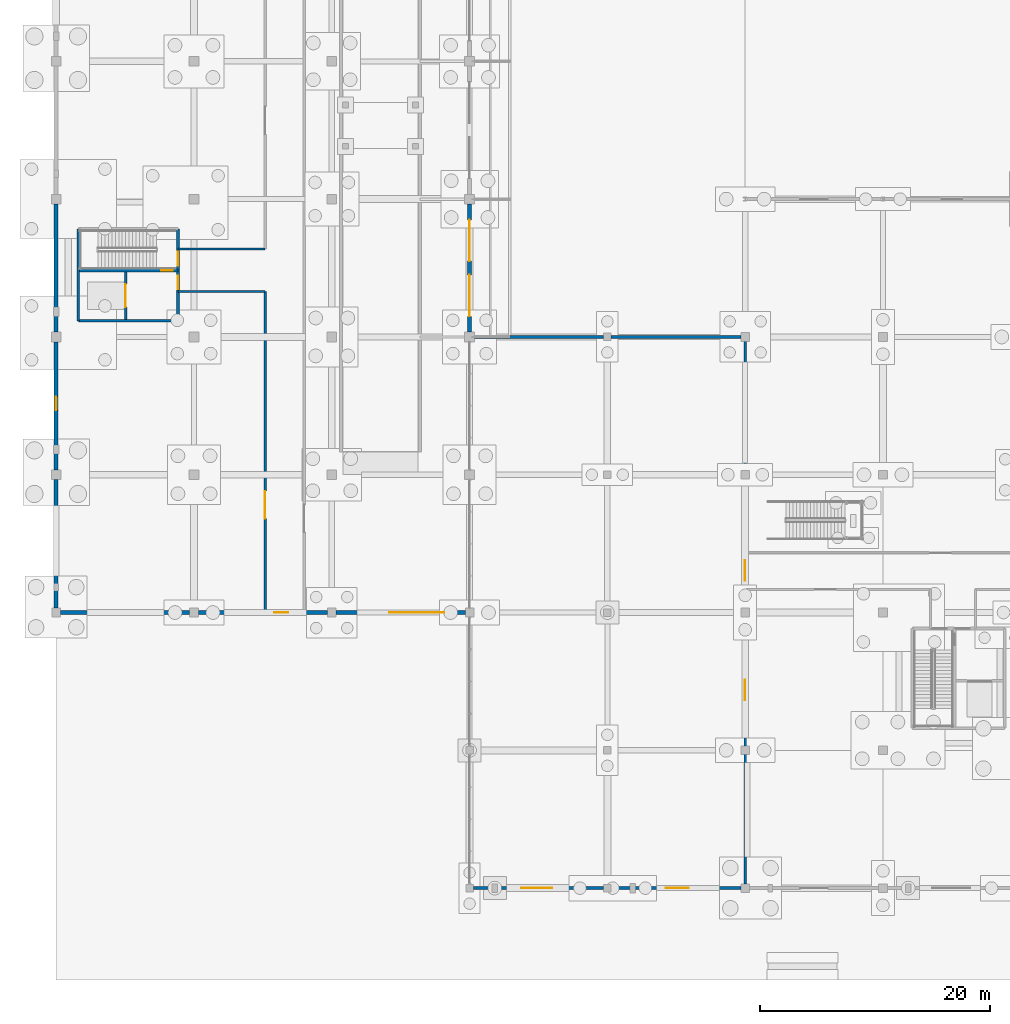
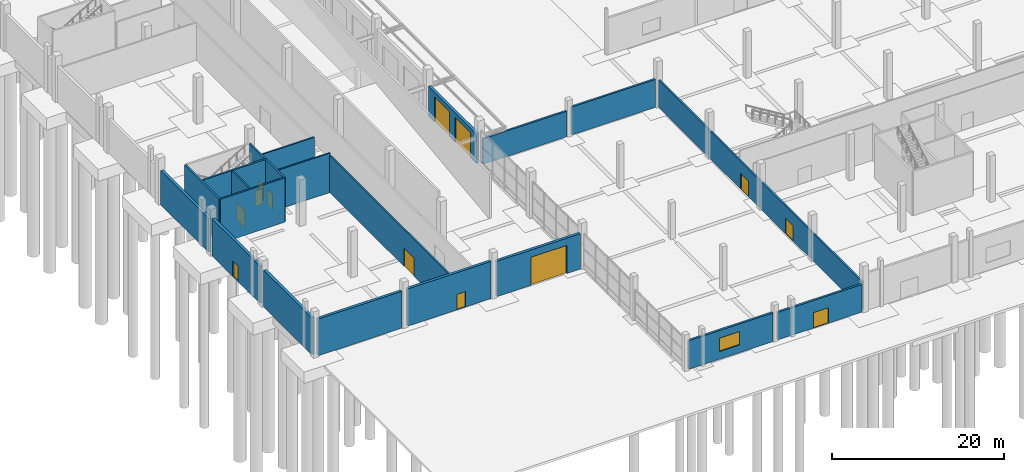
# One storey, part 81 of 117: 20 walls, 13 doors, 1 window, 14 openings.
"""IFC4 building model written with IfcOpenShell, lengths in metres."""

import ifcopenshell
import ifcopenshell.guid

model = None  # the IFC model being written
_history = None  # IfcOwnerHistory: only IFC2X3 demands one
_inside = {}  # id of a spatial element -> (the spatial element, [elements in it])
_under = {}  # id of a project, library or spatial element -> (it, [spatial elements below it])
_declared = {}  # id of a project -> (the project, [libraries it declares])
_typed = {}  # id of a type object -> (the type object, [elements of that type])
_made_of = {}  # id of a material, layer set ... -> (it, [elements and type objects made of it])


def new_model(schema):
    """Start an empty IFC model of exactly this schema.

    Asked for "IFC4X3", IfcOpenShell would pick the latest addendum, in which some entities
    have other attributes; the version numbers below select the first issue.
    IFC2X3 requires an IfcOwnerHistory on every rooted entity: one is made here for all.
    """
    global model, _history
    if schema == "IFC4X3":
        model = ifcopenshell.file(schema_version=(4, 3, 0, 0))
    else:
        model = ifcopenshell.file(schema=schema)
    _inside.clear()
    _under.clear()
    _declared.clear()
    _typed.clear()
    _made_of.clear()
    _history = None
    if model.schema == "IFC2X3":
        org = make("IfcOrganization", Name="unknown")
        user = make(
            "IfcPersonAndOrganization",
            ThePerson=make("IfcPerson", FamilyName="unknown"),
            TheOrganization=org,
        )
        app = make(
            "IfcApplication",
            ApplicationDeveloper=org,
            Version="unknown",
            ApplicationFullName="unknown",
            ApplicationIdentifier="unknown",
        )
        _history = make(
            "IfcOwnerHistory",
            OwningUser=user,
            OwningApplication=app,
            ChangeAction="ADDED",
            CreationDate=0,
        )
    return model


def make(cls, **values):
    """One entity of the class cls with the attributes given. An attribute that is None is left unset."""
    return model.create_entity(
        cls, **{name: value for name, value in values.items() if value is not None}
    )


def rooted(cls, **values):
    """An entity with a GlobalId (a new one), such as an element, a storey or a relation."""
    return make(cls, GlobalId=ifcopenshell.guid.new(), OwnerHistory=_history, **values)


def si_unit(unit_type, name, prefix=None):
    """IfcSIUnit, for example si_unit("LENGTHUNIT", "METRE", prefix="MILLI")."""
    return make("IfcSIUnit", UnitType=unit_type, Prefix=prefix, Name=name)


def assignment(units):
    """IfcUnitAssignment: the units of a project."""
    return None if units is None else make("IfcUnitAssignment", Units=units)


def point(xyz):
    """IfcCartesianPoint."""
    return None if xyz is None else make("IfcCartesianPoint", Coordinates=xyz)


def direction(xyz):
    """IfcDirection."""
    return None if xyz is None else make("IfcDirection", DirectionRatios=xyz)


def frame(location, z_axis=None, x_axis=None):
    """IfcAxis2Placement3D, a coordinate frame: its origin and axes. An axis left out is left unset."""
    return make(
        "IfcAxis2Placement3D",
        Location=point(location),
        Axis=direction(z_axis),
        RefDirection=direction(x_axis),
    )


def frame_2d(location, x_axis=None):
    """IfcAxis2Placement2D, a coordinate frame in the plane: its origin and x axis."""
    return make(
        "IfcAxis2Placement2D", Location=point(location), RefDirection=direction(x_axis)
    )


def origin():
    """The frame at (0, 0, 0) with its axes left unset."""
    return frame((0.0, 0.0, 0.0))


def place(relative_to, where):
    """IfcLocalPlacement: puts the frame where relative to a parent placement (None: the world)."""
    return make(
        "IfcLocalPlacement", PlacementRelTo=relative_to, RelativePlacement=where
    )


def context(
    kind, dimensions, precision=None, world=None, true_north=None, identifier=None
):
    """IfcGeometricRepresentationContext, for example the 3D "Model" context."""
    return make(
        "IfcGeometricRepresentationContext",
        ContextIdentifier=identifier,
        ContextType=kind,
        CoordinateSpaceDimension=dimensions,
        Precision=precision,
        WorldCoordinateSystem=world,
        TrueNorth=true_north,
    )


def subcontext(parent, identifier, kind, view, scale=None):
    """IfcGeometricRepresentationSubContext, for example "Body" below "Model"."""
    return make(
        "IfcGeometricRepresentationSubContext",
        ContextIdentifier=identifier,
        ContextType=kind,
        ParentContext=parent,
        TargetScale=scale,
        TargetView=view,
    )


def project(units=None, contexts=None):
    """IfcProject with its units and contexts."""
    return rooted(
        "IfcProject",
        Name="project",
        RepresentationContexts=contexts,
        UnitsInContext=assignment(units),
    )


def spatial(cls, under=None, at=None, **own):
    """A site, building, storey or space (cls), placed at a placement, below another one or the project."""
    s = rooted(cls, ObjectPlacement=at, **own)
    if under is not None:
        _under.setdefault(under.id(), (under, []))[1].append(s)
    return s


def profile(cls, at=None, kind="AREA", **sizes):
    """A parametric profile (cls). Its sizes go by their IFC names, for example OverallWidth=200.0."""
    return make(cls, ProfileType=kind, Position=at, **sizes)


def rectangle(**sizes):
    """IfcRectangleProfileDef."""
    return profile("IfcRectangleProfileDef", **sizes)


def extrude(swept, where, along, depth):
    """IfcExtrudedAreaSolid: the profile swept, set in the frame where, extruded along a direction by depth."""
    return make(
        "IfcExtrudedAreaSolid",
        SweptArea=swept,
        Position=where,
        ExtrudedDirection=direction(along),
        Depth=depth,
    )


def shape(context_of_items, identifier, shape_type, items):
    """IfcShapeRepresentation: the items that make up one representation, for example the "Body"."""
    return make(
        "IfcShapeRepresentation",
        ContextOfItems=context_of_items,
        RepresentationIdentifier=identifier,
        RepresentationType=shape_type,
        Items=items,
    )


def material(Name=None, Category=None):
    """IfcMaterial."""
    return make("IfcMaterial", Name=Name, Category=Category)


def layer(
    of_material, thickness, ventilated=None, Name=None, Category=None, Priority=None
):
    """IfcMaterialLayer: one layer of a wall or slab, of a material (None: an air gap)."""
    return make(
        "IfcMaterialLayer",
        Material=of_material,
        LayerThickness=thickness,
        IsVentilated=ventilated,
        Name=Name,
        Category=Category,
        Priority=Priority,
    )


def layer_set(layers, Name=None):
    """IfcMaterialLayerSet."""
    return make("IfcMaterialLayerSet", MaterialLayers=layers, LayerSetName=Name)


def made_of(thing, what):
    """Note that an element or type object is made of a material, layer set ...; save() writes the relation."""
    if what is not None:
        _made_of.setdefault(what.id(), (what, []))[1].append(thing)
    return thing


def type_object(cls, material=None, **own):
    """A type object (cls), such as IfcWallType, which elements share."""
    return made_of(rooted(cls, **own), material)


def element(
    cls,
    number,
    at=None,
    inside=None,
    cuts=None,
    type_object=None,
    material=None,
    context=None,
    identifier="Body",
    shape_type=None,
    held_by="IfcProductDefinitionShape",
    body=None,
    shapes=None,
    **own,
):
    """One element of the class cls, such as IfcWall. Its Tag is "e" and its number.

    at: its placement. inside: the storey or other place that contains it. cuts: it is an
    opening in that element (IfcRelVoidsElement). A single representation is given by context,
    identifier, shape_type and body (its items); several are given by shapes. held_by: the class
    of the entity that holds the representations. save() writes the other relations.
    """
    e = rooted(cls, Tag="e%d" % number, ObjectPlacement=at, **own)
    if body is not None:
        shapes = [shape(context, identifier, shape_type, body)]
    if shapes is not None:
        e.Representation = make(held_by, Representations=shapes)
    if inside is not None:
        _inside.setdefault(inside.id(), (inside, []))[1].append(e)
    if cuts is not None:
        rooted(
            "IfcRelVoidsElement", RelatingBuildingElement=cuts, RelatedOpeningElement=e
        )
    if type_object is not None:
        _typed.setdefault(type_object.id(), (type_object, []))[1].append(e)
    return made_of(e, material)


def fill(opening, filler):
    """IfcRelFillsElement: the door or window that sits in an opening."""
    return rooted(
        "IfcRelFillsElement",
        RelatingOpeningElement=opening,
        RelatedBuildingElement=filler,
    )


def aggregate(whole, parts):
    """IfcRelAggregates: a whole, such as a stair, and the parts it consists of."""
    return rooted("IfcRelAggregates", RelatingObject=whole, RelatedObjects=parts)


def save(model, path):
    """Write the relations noted so far, then the file.

    IfcRelAggregates (storeys below a building ...), IfcRelContainedInSpatialStructure (elements
    in a storey), IfcRelDefinesByType, IfcRelAssociatesMaterial and IfcRelDeclares: one each for
    every whole, place, type object, material and project.
    """
    for whole, parts in _under.values():
        aggregate(whole, parts)
    for where, things in _inside.values():
        rooted(
            "IfcRelContainedInSpatialStructure",
            RelatedElements=things,
            RelatingStructure=where,
        )
    for kind, things in _typed.values():
        rooted("IfcRelDefinesByType", RelatedObjects=things, RelatingType=kind)
    for what, things in _made_of.values():
        rooted("IfcRelAssociatesMaterial", RelatedObjects=things, RelatingMaterial=what)
    for by, libraries in _declared.values():
        rooted("IfcRelDeclares", RelatingContext=by, RelatedDefinitions=libraries)
    model.write(path)


model = new_model("IFC4")

# Units and contexts
model_context = context("Model", 3, precision=1e-05, world=origin(), true_north=direction((0.0, 1.0)))
body_context = subcontext(model_context, "Body", "Model", "MODEL_VIEW")
ifc_project = project(units=[si_unit("LENGTHUNIT", "METRE"), si_unit("AREAUNIT", "SQUARE_METRE"), si_unit("VOLUMEUNIT", "CUBIC_METRE"), si_unit("PLANEANGLEUNIT", "RADIAN"), si_unit("MASSUNIT", "GRAM", prefix="KILO")], contexts=[model_context])

# Site, building, storey
site_placement = place(None, origin())
site = spatial("IfcSite", under=ifc_project, at=site_placement, CompositionType="ELEMENT")
building_placement = place(site_placement, origin())
building = spatial("IfcBuilding", under=site, at=building_placement, Name="Kamomehara Wholesale Market", CompositionType="ELEMENT")
storey_placement = place(building_placement, origin())
storey = spatial("IfcBuildingStorey", under=building, at=storey_placement, Name="L00", CompositionType="ELEMENT", Elevation=0.0)

# Wall
ifc_material_1 = material(Name="Polyurethane insulated metal panel")
ifc_layer_1 = layer(ifc_material_1, 0.360107421875)
ifc_layer_set_1 = layer_set([ifc_layer_1], Name="Polyurethane insulated metal panel")
wall_type_1 = type_object("IfcWallType", Name="EW-CLD-360", PredefinedType="SOLIDWALL", material=ifc_layer_set_1)
wall_1_placement = place(storey_placement, frame((0.0, 36.375, 0.0), z_axis=(0.0, 0.0, 1.0), x_axis=(0.0, 1.0, 0.0)))
element("IfcWall", 1, at=wall_1_placement, inside=storey, type_object=wall_type_1, Name="Exterior wall EW-CLD-360 1", PredefinedType="SOLIDWALL", context=body_context, shape_type="SweptSolid", body=[
    extrude(rectangle(XDim=11.199951171875, YDim=0.360107421875, at=frame_2d((5.60009765625, 0.0))), origin(), (0.0, 0.0, 1.0), 5.238037109375),
])

# Wall, opening, door
wall_2_placement = place(storey_placement, frame((0.0, 48.425048828125, 0.0), z_axis=(0.0, 0.0, 1.0), x_axis=(0.0, 1.0, 0.0)))
wall_2 = element("IfcWall", 2, at=wall_2_placement, inside=storey, type_object=wall_type_1, Name="Exterior wall EW-CLD-360 2", PredefinedType="SOLIDWALL", context=body_context, shape_type="SweptSolid", body=[
    extrude(rectangle(XDim=11.14990234375, YDim=0.360107421875, at=frame_2d((5.574951171875, 0.0))), origin(), (0.0, 0.0, 1.0), 5.2880859375),
])
opening_1_placement = place(wall_2_placement, frame((5.175048828125, 0.0, 0.0)))
opening_1 = element("IfcOpeningElement", 3, at=opening_1_placement, cuts=wall_2, Name="Opening ED-L00-01", PredefinedType="OPENING", context=body_context, shape_type="SweptSolid", body=[
    extrude(rectangle(XDim=1.199951171875, YDim=2.199951171875, at=frame_2d((0.60009765625, 1.10009765625))), frame((0.0, 0.19482421875, 0.0), z_axis=(0.0, -1.0, 0.0), x_axis=(1.0, 0.0, 0.0)), (0.0, 0.0, 1.0), 0.389892578125),
])
ifc_material_2 = material(Name="Steel SN400B", Category="steel")
door_type_1 = type_object("IfcDoorType", Name="EDR-1200x2200", OperationType="NOTDEFINED", PredefinedType="DOOR", material=ifc_material_2)
door_1_placement = place(opening_1_placement, origin())
door_1 = element("IfcDoor", 4, at=door_1_placement, inside=storey, type_object=door_type_1, Name="Cold block exit door ED-L00-01", OperationType="SINGLE_SWING_LEFT", OverallHeight=2.199951171875, OverallWidth=1.199951171875, PredefinedType="DOOR", context=body_context, shape_type="SweptSolid", body=[
    extrude(rectangle(XDim=1.199951171875, YDim=2.199951171875, at=frame_2d((0.60009765625, 1.10009765625))), frame((0.0, 0.02490234375, 0.0), z_axis=(0.0, -1.0, 0.0), x_axis=(1.0, 0.0, 0.0)), (0.0, 0.0, 1.0), 0.050048828125),
])
fill(opening_1, door_1)

# Walls
wall_3_placement = place(storey_placement, frame((0.0, 60.425048828125, 0.0), z_axis=(0.0, 0.0, 1.0), x_axis=(0.0, 1.0, 0.0)))
element("IfcWall", 5, at=wall_3_placement, inside=storey, type_object=wall_type_1, Name="Exterior wall EW-CLD-360 3", PredefinedType="SOLIDWALL", context=body_context, shape_type="SweptSolid", body=[
    extrude(rectangle(XDim=11.14990234375, YDim=0.360107421875, at=frame_2d((5.574951171875, 0.0))), origin(), (0.0, 0.0, 1.0), 4.85791015625),
])
wall_4_placement = place(storey_placement, frame((11.625, 36.0, 0.0), z_axis=(0.0, 0.0, 1.0), x_axis=(-1.0, 0.0, 0.0)))
element("IfcWall", 6, at=wall_4_placement, inside=storey, type_object=wall_type_1, Name="Exterior wall EW-CLD-360 12", PredefinedType="SOLIDWALL", context=body_context, shape_type="SweptSolid", body=[
    extrude(rectangle(XDim=11.25, YDim=0.360107421875, at=frame_2d((5.625, 0.0))), origin(), (0.0, 0.0, 1.0), 5.238037109375),
])

# Wall, opening, door
wall_5_placement = place(storey_placement, frame((23.625, 36.0, 0.0), z_axis=(0.0, 0.0, 1.0), x_axis=(-1.0, 0.0, 0.0)))
wall_5 = element("IfcWall", 7, at=wall_5_placement, inside=storey, type_object=wall_type_1, Name="Exterior wall EW-CLD-360 14", PredefinedType="SOLIDWALL", context=body_context, shape_type="SweptSolid", body=[
    extrude(rectangle(XDim=11.25, YDim=0.360107421875, at=frame_2d((5.625, 0.0))), origin(), (0.0, 0.0, 1.0), 5.2880859375),
])
opening_2_placement = place(wall_5_placement, frame((3.425048828125, 0.0, 0.0)))
opening_2 = element("IfcOpeningElement", 8, at=opening_2_placement, cuts=wall_5, Name="Opening ED-L00-V3S", PredefinedType="OPENING", context=body_context, shape_type="SweptSolid", body=[
    extrude(rectangle(XDim=1.199951171875, YDim=2.199951171875, at=frame_2d((0.60009765625, 1.10009765625))), frame((0.0, 0.19482421875, 0.0), z_axis=(0.0, -1.0, 0.0), x_axis=(1.0, 0.0, 0.0)), (0.0, 0.0, 1.0), 0.389892578125),
])
door_2_placement = place(opening_2_placement, origin())
door_2 = element("IfcDoor", 9, at=door_2_placement, inside=storey, type_object=door_type_1, Name="Cold corridor final exit door ED-L00-V3S", OperationType="SINGLE_SWING_RIGHT", OverallHeight=2.199951171875, OverallWidth=1.199951171875, PredefinedType="DOOR", context=body_context, shape_type="SweptSolid", body=[
    extrude(rectangle(XDim=1.199951171875, YDim=2.199951171875, at=frame_2d((0.60009765625, 1.10009765625))), frame((0.0, 0.02490234375, 0.0), z_axis=(0.0, -1.0, 0.0), x_axis=(1.0, 0.0, 0.0)), (0.0, 0.0, 1.0), 0.050048828125),
])
fill(opening_2, door_2)

wall_6_placement = place(storey_placement, frame((35.625, 36.0, 0.0), z_axis=(0.0, 0.0, 1.0), x_axis=(-1.0, 0.0, 0.0)))
wall_6 = element("IfcWall", 10, at=wall_6_placement, inside=storey, type_object=wall_type_1, Name="Exterior wall EW-CLD-360 16", PredefinedType="SOLIDWALL", context=body_context, shape_type="SweptSolid", body=[
    extrude(rectangle(XDim=11.25, YDim=0.360107421875, at=frame_2d((5.625, 0.0))), origin(), (0.0, 0.0, 1.0), 5.030029296875),
])
opening_3_placement = place(wall_6_placement, frame((1.824951171875, 0.0, 0.0)))
opening_3 = element("IfcOpeningElement", 11, at=opening_3_placement, cuts=wall_6, Name="Opening VG-L00-01", PredefinedType="OPENING", context=body_context, shape_type="SweptSolid", body=[
    extrude(rectangle(XDim=4.800048828125, YDim=4.0, at=frame_2d((2.39990234375, 2.0))), frame((0.0, 0.19482421875, 0.0), z_axis=(0.0, -1.0, 0.0), x_axis=(1.0, 0.0, 0.0)), (0.0, 0.0, 1.0), 0.389892578125),
])
ifc_material_3 = material(Name="Steel SN400B", Category="steel")
door_type_2 = type_object("IfcDoorType", Name="EDR-VG-5200x4500", OperationType="ROLLINGUP", PredefinedType="GATE", material=ifc_material_3)
door_3_placement = place(opening_3_placement, origin())
door_3 = element("IfcDoor", 12, at=door_3_placement, inside=storey, type_object=door_type_2, Name="Service ramp roller shutter VG-L00-01", OperationType="ROLLINGUP", OverallHeight=4.0, OverallWidth=4.800048828125, PredefinedType="GATE", context=body_context, shape_type="SweptSolid", body=[
    extrude(rectangle(XDim=4.800048828125, YDim=4.0, at=frame_2d((2.39990234375, 2.0))), frame((0.0, 0.02490234375, 0.0), z_axis=(0.0, -1.0, 0.0), x_axis=(1.0, 0.0, 0.0)), (0.0, 0.0, 1.0), 0.050048828125),
])
fill(opening_3, door_3)

# Wall, openings, doors
wall_7_placement = place(storey_placement, frame((36.0, 71.574951171875, 0.0), z_axis=(0.0, 0.0, 1.0), x_axis=(0.0, -1.0, 0.0)))
wall_7 = element("IfcWall", 13, at=wall_7_placement, inside=storey, type_object=wall_type_1, Name="Exterior wall EW-CLD-360 17", PredefinedType="SOLIDWALL", context=body_context, shape_type="SweptSolid", body=[
    extrude(rectangle(XDim=11.14990234375, YDim=0.360107421875, at=frame_2d((5.574951171875, 0.0))), origin(), (0.0, 0.0, 1.0), 4.238037109375),
])
opening_4_placement = place(wall_7_placement, frame((1.375, 0.0, 0.0)))
opening_4 = element("IfcOpeningElement", 14, at=opening_4_placement, cuts=wall_7, Name="Opening DK-02", PredefinedType="OPENING", context=body_context, shape_type="SweptSolid", body=[
    extrude(rectangle(XDim=3.60009765625, YDim=3.60009765625, at=frame_2d((1.800048828125, 1.800048828125))), frame((0.0, 0.19482421875, 0.0), z_axis=(0.0, -1.0, 0.0), x_axis=(1.0, 0.0, 0.0)), (0.0, 0.0, 1.0), 0.389892578125),
])
opening_5_placement = place(wall_7_placement, frame((6.175048828125, 0.0, 0.0)))
opening_5 = element("IfcOpeningElement", 15, at=opening_5_placement, cuts=wall_7, Name="Opening DK-01", PredefinedType="OPENING", context=body_context, shape_type="SweptSolid", body=[
    extrude(rectangle(XDim=3.60009765625, YDim=3.60009765625, at=frame_2d((1.800048828125, 1.800048828125))), frame((0.0, 0.19482421875, 0.0), z_axis=(0.0, -1.0, 0.0), x_axis=(1.0, 0.0, 0.0)), (0.0, 0.0, 1.0), 0.389892578125),
])
ifc_material_4 = material(Name="Steel SN400B", Category="steel")
door_type_3 = type_object("IfcDoorType", Name="EDR-DK-4000x4200", OperationType="ROLLINGUP", PredefinedType="GATE", material=ifc_material_4)
door_4_placement = place(opening_4_placement, origin())
door_4 = element("IfcDoor", 16, at=door_4_placement, inside=storey, type_object=door_type_3, Name="Cold dock roller shutter DK-02", OperationType="ROLLINGUP", OverallHeight=3.60009765625, OverallWidth=3.60009765625, PredefinedType="GATE", context=body_context, shape_type="SweptSolid", body=[
    extrude(rectangle(XDim=3.60009765625, YDim=3.60009765625, at=frame_2d((1.800048828125, 1.800048828125))), frame((0.0, 0.02490234375, 0.0), z_axis=(0.0, -1.0, 0.0), x_axis=(1.0, 0.0, 0.0)), (0.0, 0.0, 1.0), 0.050048828125),
])
fill(opening_4, door_4)
door_5_placement = place(opening_5_placement, origin())
door_5 = element("IfcDoor", 17, at=door_5_placement, inside=storey, type_object=door_type_3, Name="Cold dock roller shutter DK-01", OperationType="ROLLINGUP", OverallHeight=3.60009765625, OverallWidth=3.60009765625, PredefinedType="GATE", context=body_context, shape_type="SweptSolid", body=[
    extrude(rectangle(XDim=3.60009765625, YDim=3.60009765625, at=frame_2d((1.800048828125, 1.800048828125))), frame((0.0, 0.02490234375, 0.0), z_axis=(0.0, -1.0, 0.0), x_axis=(1.0, 0.0, 0.0)), (0.0, 0.0, 1.0), 0.050048828125),
])
fill(opening_5, door_5)

# Walls
ifc_material_5 = material(Name="Precast concrete Fc45 (C40/50)", Category="concrete")
ifc_layer_2 = layer(ifc_material_5, 0.25)
ifc_layer_set_2 = layer_set([ifc_layer_2], Name="Precast concrete Fc45 (C40/50)")
wall_type_2 = type_object("IfcWallType", Name="EW-PC-250", PredefinedType="SOLIDWALL", material=ifc_layer_set_2)
wall_8_placement = place(storey_placement, frame((36.425048828125, 60.0, 0.0), z_axis=(0.0, 0.0, 1.0), x_axis=(1.0, 0.0, 0.0)))
element("IfcWall", 18, at=wall_8_placement, inside=storey, type_object=wall_type_2, Name="Exterior wall EW-PC-250 78", PredefinedType="SOLIDWALL", context=body_context, shape_type="SweptSolid", body=[
    extrude(rectangle(XDim=11.25, YDim=0.25, at=frame_2d((5.625, 0.0))), origin(), (0.0, 0.0, 1.0), 3.6298828125),
])
wall_9_placement = place(storey_placement, frame((48.324951171875, 60.0, 0.0), z_axis=(0.0, 0.0, 1.0), x_axis=(1.0, 0.0, 0.0)))
element("IfcWall", 19, at=wall_9_placement, inside=storey, type_object=wall_type_2, Name="Exterior wall EW-PC-250 80", PredefinedType="SOLIDWALL", context=body_context, shape_type="SweptSolid", body=[
    extrude(rectangle(XDim=11.300048828125, YDim=0.25, at=frame_2d((5.64990234375, 0.0))), origin(), (0.0, 0.0, 1.0), 3.972900390625),
])

# Wall, opening, window
ifc_material_6 = material(Name="Precast concrete Fc45 (C40/50)", Category="concrete")
ifc_layer_3 = layer(ifc_material_6, 0.280029296875)
ifc_layer_set_3 = layer_set([ifc_layer_3], Name="Precast concrete Fc45 (C40/50)")
wall_type_3 = type_object("IfcWallType", Name="EW-PC-280", PredefinedType="SOLIDWALL", material=ifc_layer_set_3)
wall_10_placement = place(storey_placement, frame((47.675048828125, 12.0, 0.0), z_axis=(0.0, 0.0, 1.0), x_axis=(-1.0, 0.0, 0.0)))
wall_10 = element("IfcWall", 20, at=wall_10_placement, inside=storey, type_object=wall_type_3, Name="Exterior wall EW-PC-280 77", PredefinedType="SOLIDWALL", context=body_context, shape_type="SweptSolid", body=[
    extrude(rectangle(XDim=11.35009765625, YDim=0.280029296875, at=frame_2d((5.675048828125, 0.0))), origin(), (0.0, 0.0, 1.0), 4.0849609375),
])
opening_6_placement = place(wall_10_placement, frame((4.47509765625, 0.0, 1.10009765625)))
opening_6 = element("IfcOpeningElement", 21, at=opening_6_placement, cuts=wall_10, Name="Opening WN-L00-009", PredefinedType="OPENING", context=body_context, shape_type="SweptSolid", body=[
    extrude(rectangle(XDim=2.699951171875, YDim=1.89990234375, at=frame_2d((1.35009765625, 0.949951171875))), frame((0.0, 0.15478515625, 0.0), z_axis=(0.0, -1.0, 0.0), x_axis=(1.0, 0.0, 0.0)), (0.0, 0.0, 1.0), 0.309814453125),
])
ifc_material_7 = material(Name="Solar-control Low-E double glazing", Category="glass")
window_type = type_object("IfcWindowType", Name="WIN-2700x1900", PartitioningType="SINGLE_PANEL", PredefinedType="WINDOW", material=ifc_material_7)
window_placement = place(opening_6_placement, origin())
window = element("IfcWindow", 22, at=window_placement, inside=storey, type_object=window_type, Name="Exterior window WN-L00-009", OverallHeight=1.89990234375, OverallWidth=2.699951171875, PartitioningType="SINGLE_PANEL", PredefinedType="WINDOW", context=body_context, shape_type="SweptSolid", body=[
    extrude(rectangle(XDim=2.699951171875, YDim=1.89990234375, at=frame_2d((1.35009765625, 0.949951171875))), frame((0.0, 0.030029296875, 0.0), z_axis=(0.0, -1.0, 0.0), x_axis=(1.0, 0.0, 0.0)), (0.0, 0.0, 1.0), 0.06005859375),
])
fill(opening_6, window)

# Wall, opening, door
wall_11_placement = place(storey_placement, frame((59.625, 12.0, 0.0), z_axis=(0.0, 0.0, 1.0), x_axis=(-1.0, 0.0, 0.0)))
wall_11 = element("IfcWall", 23, at=wall_11_placement, inside=storey, type_object=wall_type_3, Name="Exterior wall EW-PC-280 79", PredefinedType="SOLIDWALL", context=body_context, shape_type="SweptSolid", body=[
    extrude(rectangle(XDim=11.300048828125, YDim=0.280029296875, at=frame_2d((5.64990234375, 0.0))), origin(), (0.0, 0.0, 1.0), 3.922119140625),
])
opening_7_placement = place(wall_11_placement, frame((4.52490234375, 0.0, 0.0)))
opening_7 = element("IfcOpeningElement", 24, at=opening_7_placement, cuts=wall_11, Name="Opening ED-L00-28", PredefinedType="OPENING", context=body_context, shape_type="SweptSolid", body=[
    extrude(rectangle(XDim=2.0, YDim=2.199951171875, at=frame_2d((1.0, 1.10009765625))), frame((0.0, 0.15478515625, 0.0), z_axis=(0.0, -1.0, 0.0), x_axis=(1.0, 0.0, 0.0)), (0.0, 0.0, 1.0), 0.309814453125),
])
ifc_material_8 = material(Name="Anodised aluminium 6063-T5", Category="aluminium")
door_type_4 = type_object("IfcDoorType", Name="EDR-2000x2200", OperationType="NOTDEFINED", PredefinedType="DOOR", material=ifc_material_8)
door_6_placement = place(opening_7_placement, origin())
door_6 = element("IfcDoor", 25, at=door_6_placement, inside=storey, type_object=door_type_4, Name="Live-tank hall exit door ED-L00-28", OperationType="SINGLE_SWING_LEFT", OverallHeight=2.199951171875, OverallWidth=2.0, PredefinedType="DOOR", context=body_context, shape_type="SweptSolid", body=[
    extrude(rectangle(XDim=2.0, YDim=2.199951171875, at=frame_2d((1.0, 1.10009765625))), frame((0.0, 0.02490234375, 0.0), z_axis=(0.0, -1.0, 0.0), x_axis=(1.0, 0.0, 0.0)), (0.0, 0.0, 1.0), 0.050048828125),
])
fill(opening_7, door_6)

ifc_material_9 = material(Name="Gypsum board partition")
ifc_layer_4 = layer(ifc_material_9, 0.199951171875)
ifc_layer_set_4 = layer_set([ifc_layer_4], Name="Gypsum board partition")
wall_type_4 = type_object("IfcWallType", Name="IW-PRT-200", PredefinedType="PARTITIONING", material=ifc_layer_set_4)
wall_12_placement = place(storey_placement, frame((18.199951171875, 36.179931640625, 0.0), z_axis=(0.0, 0.0, 1.0), x_axis=(0.0, 1.0, 0.0)))
wall_12 = element("IfcWall", 26, at=wall_12_placement, inside=storey, type_object=wall_type_4, Name="Interior wall IW-PRT-200 227", PredefinedType="PARTITIONING", context=body_context, shape_type="SweptSolid", body=[
    extrude(rectangle(XDim=27.77001953125, YDim=0.199951171875, at=frame_2d((13.885009765625, 0.0))), origin(), (0.0, 0.0, 1.0), 5.242919921875),
])
opening_8_placement = place(wall_12_placement, frame((8.0, 0.0, 0.0)))
opening_8 = element("IfcOpeningElement", 27, at=opening_8_placement, cuts=wall_12, Name="Opening ID-L00-138", PredefinedType="OPENING", context=body_context, shape_type="SweptSolid", body=[
    extrude(rectangle(XDim=2.39990234375, YDim=2.60009765625, at=frame_2d((1.199951171875, 1.300048828125))), frame((0.0, 0.11474609375, 0.0), z_axis=(0.0, -1.0, 0.0), x_axis=(1.0, 0.0, 0.0)), (0.0, 0.0, 1.0), 0.229736328125),
])
ifc_material_10 = material(Name="Steel SN400B", Category="steel")
door_type_5 = type_object("IfcDoorType", Name="IDR-CL-2400x2600", OperationType="NOTDEFINED", PredefinedType="DOOR", material=ifc_material_10)
door_7_placement = place(opening_8_placement, origin())
door_7 = element("IfcDoor", 28, at=door_7_placement, inside=storey, type_object=door_type_5, Name="Interior door ID-L00-138", OperationType="SINGLE_SWING_RIGHT", OverallHeight=2.60009765625, OverallWidth=2.39990234375, PredefinedType="DOOR", context=body_context, shape_type="SweptSolid", body=[
    extrude(rectangle(XDim=2.39990234375, YDim=2.60009765625, at=frame_2d((1.199951171875, 1.300048828125))), frame((0.0, 0.02490234375, 0.0), z_axis=(0.0, -1.0, 0.0), x_axis=(1.0, 0.0, 0.0)), (0.0, 0.0, 1.0), 0.050048828125),
])
fill(opening_8, door_7)

# Walls
for number, where, z_axis, x_axis, name in (
    (29, (10.60009765625, 63.949951171875, 0.0), (0.0, 0.0, 1.0), (1.0, 0.0, 0.0), "Interior wall IW-PRT-200 228"),
    (30, (10.60009765625, 67.64990234375, 0.0), (0.0, 0.0, 1.0), (1.0, 0.0, 0.0), "Interior wall IW-PRT-200 229"),
):
    element("IfcWall", number, at=place(storey_placement, frame(where, z_axis=z_axis, x_axis=x_axis)), inside=storey, type_object=wall_type_4, Name=name, PredefinedType="PARTITIONING", context=body_context, shape_type="SweptSolid", body=[
        extrude(rectangle(XDim=7.599853515625, YDim=0.199951171875, at=frame_2d((3.7998046875, 0.0))), origin(), (0.0, 0.0, 1.0), 5.593017578125),
    ])

# Wall, opening, door
ifc_material_11 = material(Name="Concrete Fc36 (C35/45)", Category="concrete")
ifc_layer_5 = layer(ifc_material_11, 0.219970703125)
ifc_layer_set_5 = layer_set([ifc_layer_5], Name="Concrete Fc36 (C35/45)")
wall_type_5 = type_object("IfcWallType", Name="IW-SHR-220", PredefinedType="SHEAR", material=ifc_layer_set_5)
wall_13_placement = place(storey_placement, frame((6.0400390625, 61.52001953125, 0.0), z_axis=(0.0, 0.0, 1.0), x_axis=(0.0, 1.0, 0.0)))
wall_13 = element("IfcWall", 31, at=wall_13_placement, inside=storey, type_object=wall_type_5, Name="Interior wall IW-SHR-220 30", PredefinedType="SHEAR", context=body_context, shape_type="SweptSolid", body=[
    extrude(rectangle(XDim=4.139892578125, YDim=0.219970703125, at=frame_2d((2.06982421875, 0.0))), origin(), (0.0, 0.0, 1.0), 6.260009765625),
])
opening_9_placement = place(wall_13_placement, frame((1.070068359375, 0.0, 0.0)))
opening_9 = element("IfcOpeningElement", 32, at=opening_9_placement, cuts=wall_13, Name="Opening LD-LF-02-L00", PredefinedType="OPENING", context=body_context, shape_type="SweptSolid", body=[
    extrude(rectangle(XDim=2.0, YDim=2.39990234375, at=frame_2d((1.0, 1.199951171875))), frame((0.0, 0.125, 0.0), z_axis=(0.0, -1.0, 0.0), x_axis=(1.0, 0.0, 0.0)), (0.0, 0.0, 1.0), 0.249755859375),
])
ifc_material_12 = material(Name="Steel SN400B", Category="steel")
door_type_6 = type_object("IfcDoorType", Name="LDR-GDS-2000x2400", OperationType="DOUBLE_DOOR_SLIDING", PredefinedType="DOOR", material=ifc_material_12)
door_8_placement = place(opening_9_placement, origin())
door_8 = element("IfcDoor", 33, at=door_8_placement, inside=storey, type_object=door_type_6, Name="Lift sliding landing door LD-LF-02-L00", OperationType="DOUBLE_DOOR_SLIDING", OverallHeight=2.39990234375, OverallWidth=2.0, PredefinedType="DOOR", context=body_context, shape_type="SweptSolid", body=[
    extrude(rectangle(XDim=2.0, YDim=2.39990234375, at=frame_2d((1.0, 1.199951171875))), frame((0.0, 0.02490234375, 0.0), z_axis=(0.0, -1.0, 0.0), x_axis=(1.0, 0.0, 0.0)), (0.0, 0.0, 1.0), 0.050048828125),
])
fill(opening_9, door_8)

# Wall, openings, doors
wall_14_placement = place(storey_placement, frame((60.0, 12.35009765625, 0.0), z_axis=(0.0, 0.0, 1.0), x_axis=(0.0, 1.0, 0.0)))
wall_14 = element("IfcWall", 34, at=wall_14_placement, inside=storey, type_object=wall_type_5, Name="Interior wall IW-SHR-220 240", PredefinedType="SHEAR", context=body_context, shape_type="SweptSolid", body=[
    extrude(rectangle(XDim=47.2998046875, YDim=0.219970703125, at=frame_2d((23.64990234375, 0.0))), origin(), (0.0, 0.0, 1.0), 3.927001953125),
])
opening_10_placement = place(wall_14_placement, frame((16.0, 0.0, 0.0)))
opening_10 = element("IfcOpeningElement", 35, at=opening_10_placement, cuts=wall_14, Name="Opening ID-L00-146", PredefinedType="OPENING", context=body_context, shape_type="SweptSolid", body=[
    extrude(rectangle(XDim=1.800048828125, YDim=2.199951171875, at=frame_2d((0.89990234375, 1.10009765625))), frame((0.0, 0.125, 0.0), z_axis=(0.0, -1.0, 0.0), x_axis=(1.0, 0.0, 0.0)), (0.0, 0.0, 1.0), 0.249755859375),
])
opening_11_placement = place(wall_14_placement, frame((26.39990234375, 0.0, 0.0)))
opening_11 = element("IfcOpeningElement", 36, at=opening_11_placement, cuts=wall_14, Name="Opening ID-L00-147", PredefinedType="OPENING", context=body_context, shape_type="SweptSolid", body=[
    extrude(rectangle(XDim=1.800048828125, YDim=2.199951171875, at=frame_2d((0.89990234375, 1.10009765625))), frame((0.0, 0.125, 0.0), z_axis=(0.0, -1.0, 0.0), x_axis=(1.0, 0.0, 0.0)), (0.0, 0.0, 1.0), 0.249755859375),
])
ifc_material_13 = material(Name="Steel SN400B", Category="steel")
door_type_7 = type_object("IfcDoorType", Name="IDR-FD-1800x2200", OperationType="NOTDEFINED", PredefinedType="DOOR", material=ifc_material_13)
door_9_placement = place(opening_10_placement, origin())
door_9 = element("IfcDoor", 37, at=door_9_placement, inside=storey, type_object=door_type_7, Name="Interior door ID-L00-146", OperationType="SINGLE_SWING_RIGHT", OverallHeight=2.199951171875, OverallWidth=1.800048828125, PredefinedType="DOOR", context=body_context, shape_type="SweptSolid", body=[
    extrude(rectangle(XDim=1.800048828125, YDim=2.199951171875, at=frame_2d((0.89990234375, 1.10009765625))), frame((0.0, 0.02490234375, 0.0), z_axis=(0.0, -1.0, 0.0), x_axis=(1.0, 0.0, 0.0)), (0.0, 0.0, 1.0), 0.050048828125),
])
fill(opening_10, door_9)
door_10_placement = place(opening_11_placement, origin())
door_10 = element("IfcDoor", 38, at=door_10_placement, inside=storey, type_object=door_type_7, Name="Interior door ID-L00-147", OperationType="SINGLE_SWING_LEFT", OverallHeight=2.199951171875, OverallWidth=1.800048828125, PredefinedType="DOOR", context=body_context, shape_type="SweptSolid", body=[
    extrude(rectangle(XDim=1.800048828125, YDim=2.199951171875, at=frame_2d((0.89990234375, 1.10009765625))), frame((0.0, 0.02490234375, 0.0), z_axis=(0.0, -1.0, 0.0), x_axis=(1.0, 0.0, 0.0)), (0.0, 0.0, 1.0), 0.050048828125),
])
fill(opening_11, door_10)

# Walls
ifc_material_14 = material(Name="Concrete Fc36 (C35/45)", Category="concrete")
ifc_layer_6 = layer(ifc_material_14, 0.239990234375)
ifc_layer_set_6 = layer_set([ifc_layer_6], Name="Concrete Fc36 (C35/45)")
wall_type_6 = type_object("IfcWallType", Name="IW-SHR-240", PredefinedType="SHEAR", material=ifc_layer_set_6)
wall_15_placement = place(storey_placement, frame((1.929931640625, 69.419921875, 0.0), z_axis=(0.0, 0.0, 1.0), x_axis=(0.0, -1.0, 0.0)))
element("IfcWall", 39, at=wall_15_placement, inside=storey, type_object=wall_type_6, Name="Interior wall IW-SHR-240 26", PredefinedType="SHEAR", context=body_context, shape_type="SweptSolid", body=[
    extrude(rectangle(XDim=8.02001953125, YDim=0.239990234375, at=frame_2d((4.010009765625, 0.0))), origin(), (0.0, 0.0, 1.0), 6.260009765625),
])
wall_16_placement = place(storey_placement, frame((1.929931640625, 61.39990234375, 0.0), z_axis=(0.0, 0.0, 1.0), x_axis=(1.0, 0.0, 0.0)))
element("IfcWall", 40, at=wall_16_placement, inside=storey, type_object=wall_type_6, Name="Interior wall IW-SHR-240 27", PredefinedType="SHEAR", context=body_context, shape_type="SweptSolid", body=[
    extrude(rectangle(XDim=8.670166015625, YDim=0.239990234375, at=frame_2d((4.3349609375, 0.0))), origin(), (0.0, 0.0, 1.0), 6.260009765625),
])

# Wall, opening, door
wall_17_placement = place(storey_placement, frame((1.929931640625, 65.780029296875, 0.0), z_axis=(0.0, 0.0, 1.0), x_axis=(1.0, 0.0, 0.0)))
wall_17 = element("IfcWall", 41, at=wall_17_placement, inside=storey, type_object=wall_type_6, Name="Interior wall IW-SHR-240 28", PredefinedType="SHEAR", context=body_context, shape_type="SweptSolid", body=[
    extrude(rectangle(XDim=8.670166015625, YDim=0.239990234375, at=frame_2d((4.3349609375, 0.0))), origin(), (0.0, 0.0, 1.0), 6.260009765625),
])
opening_12_placement = place(wall_17_placement, frame((7.219970703125, 0.0, 0.0)))
opening_12 = element("IfcOpeningElement", 42, at=opening_12_placement, cuts=wall_17, Name="Opening FD-L00-C3I", PredefinedType="OPENING", context=body_context, shape_type="SweptSolid", body=[
    extrude(rectangle(XDim=1.0, YDim=2.199951171875, at=frame_2d((0.5, 1.10009765625))), frame((0.0, 0.134765625, 0.0), z_axis=(0.0, -1.0, 0.0), x_axis=(1.0, 0.0, 0.0)), (0.0, 0.0, 1.0), 0.269775390625),
])
ifc_material_15 = material(Name="Anodised aluminium 6063-T5", Category="aluminium")
door_type_8 = type_object("IfcDoorType", Name="IDR-RM-1000x2200", OperationType="NOTDEFINED", PredefinedType="DOOR", material=ifc_material_15)
door_11_placement = place(opening_12_placement, origin())
door_11 = element("IfcDoor", 43, at=door_11_placement, inside=storey, type_object=door_type_8, Name="Core lobby-stair fire door FD-L00-C3I", OperationType="SINGLE_SWING_LEFT", OverallHeight=2.199951171875, OverallWidth=1.0, PredefinedType="DOOR", context=body_context, shape_type="SweptSolid", body=[
    extrude(rectangle(XDim=1.0, YDim=2.199951171875, at=frame_2d((0.5, 1.10009765625))), frame((0.0, 0.02490234375, 0.0), z_axis=(0.0, -1.0, 0.0), x_axis=(1.0, 0.0, 0.0)), (0.0, 0.0, 1.0), 0.050048828125),
])
fill(opening_12, door_11)

# Wall, openings, doors
wall_18_placement = place(storey_placement, frame((10.60009765625, 61.39990234375, 0.0), z_axis=(0.0, 0.0, 1.0), x_axis=(0.0, 1.0, 0.0)))
wall_18 = element("IfcWall", 44, at=wall_18_placement, inside=storey, type_object=wall_type_6, Name="Interior wall IW-SHR-240 29", PredefinedType="SHEAR", context=body_context, shape_type="SweptSolid", body=[
    extrude(rectangle(XDim=8.02001953125, YDim=0.239990234375, at=frame_2d((4.010009765625, 0.0))), origin(), (0.0, 0.0, 1.0), 6.260009765625),
])
opening_13_placement = place(wall_18_placement, frame((2.75, 0.0, 0.0)))
opening_13 = element("IfcOpeningElement", 45, at=opening_13_placement, cuts=wall_18, Name="Opening FD-L00-C3L", PredefinedType="OPENING", context=body_context, shape_type="SweptSolid", body=[
    extrude(rectangle(XDim=1.199951171875, YDim=2.199951171875, at=frame_2d((0.60009765625, 1.10009765625))), frame((0.0, 0.134765625, 0.0), z_axis=(0.0, -1.0, 0.0), x_axis=(1.0, 0.0, 0.0)), (0.0, 0.0, 1.0), 0.269775390625),
])
opening_14_placement = place(wall_18_placement, frame((4.800048828125, 0.0, 0.0)))
opening_14 = element("IfcOpeningElement", 46, at=opening_14_placement, cuts=wall_18, Name="Opening FD-L00-C3S", PredefinedType="OPENING", context=body_context, shape_type="SweptSolid", body=[
    extrude(rectangle(XDim=1.199951171875, YDim=2.199951171875, at=frame_2d((0.60009765625, 1.10009765625))), frame((0.0, 0.134765625, 0.0), z_axis=(0.0, -1.0, 0.0), x_axis=(1.0, 0.0, 0.0)), (0.0, 0.0, 1.0), 0.269775390625),
])
ifc_material_16 = material(Name="Steel SN400B", Category="steel")
door_type_9 = type_object("IfcDoorType", Name="IDR-FD-1200x2200", OperationType="NOTDEFINED", PredefinedType="DOOR", material=ifc_material_16)
door_12_placement = place(opening_13_placement, origin())
door_12 = element("IfcDoor", 47, at=door_12_placement, inside=storey, type_object=door_type_9, Name="Lift lobby fire door FD-L00-C3L", OperationType="SINGLE_SWING_LEFT", OverallHeight=2.199951171875, OverallWidth=1.199951171875, PredefinedType="DOOR", context=body_context, shape_type="SweptSolid", body=[
    extrude(rectangle(XDim=1.199951171875, YDim=2.199951171875, at=frame_2d((0.60009765625, 1.10009765625))), frame((0.0, 0.02490234375, 0.0), z_axis=(0.0, -1.0, 0.0), x_axis=(1.0, 0.0, 0.0)), (0.0, 0.0, 1.0), 0.050048828125),
])
fill(opening_13, door_12)
door_13_placement = place(opening_14_placement, origin())
door_13 = element("IfcDoor", 48, at=door_13_placement, inside=storey, type_object=door_type_9, Name="Stair fire door FD-L00-C3S", OperationType="SINGLE_SWING_RIGHT", OverallHeight=2.199951171875, OverallWidth=1.199951171875, PredefinedType="DOOR", context=body_context, shape_type="SweptSolid", body=[
    extrude(rectangle(XDim=1.199951171875, YDim=2.199951171875, at=frame_2d((0.60009765625, 1.10009765625))), frame((0.0, 0.02490234375, 0.0), z_axis=(0.0, -1.0, 0.0), x_axis=(1.0, 0.0, 0.0)), (0.0, 0.0, 1.0), 0.050048828125),
])
fill(opening_14, door_13)

save(model, "model.ifc")
